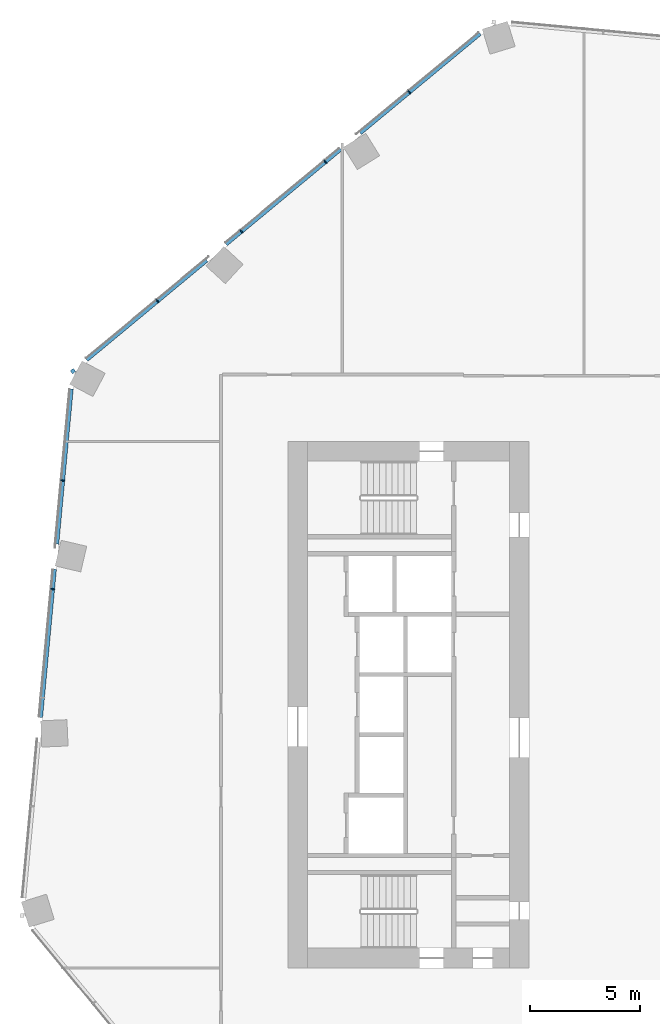
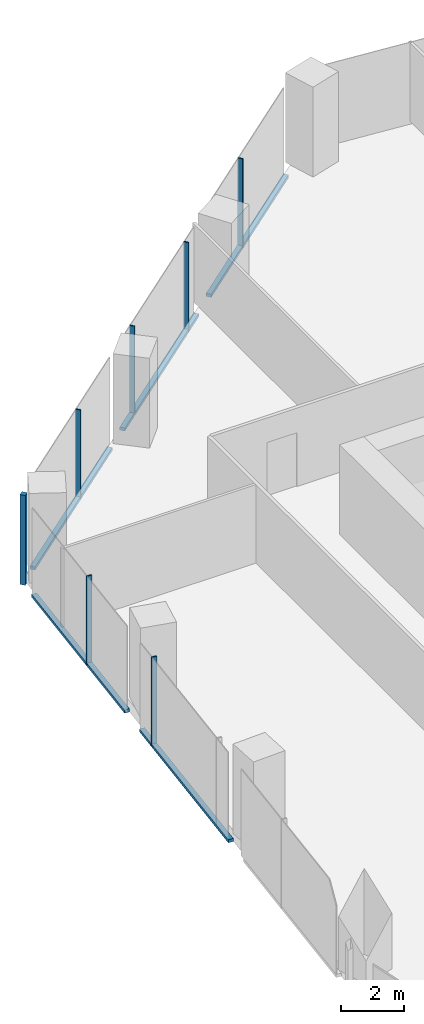
# One storey, part 10 of 24: 12 members, 2 elements without a shape of their own.
"""IFC4 building model written with IfcOpenShell, lengths in metres."""

from ifc_helpers import new_model, si_unit, direction, frame, origin, origin_2d, place, context, subcontext, project, spatial, rectangle, extrude, material, material_profile, profile_set, type_object, element, aggregate, save


model = new_model("IFC4")

# Units and contexts
model_context = context("Model", 3, precision=1e-05, world=origin(), true_north=direction((0.0, 1.0)))
body_context = subcontext(model_context, "Body", "Model", "MODEL_VIEW")
ifc_project = project(units=[si_unit("LENGTHUNIT", "METRE"), si_unit("AREAUNIT", "SQUARE_METRE"), si_unit("VOLUMEUNIT", "CUBIC_METRE"), si_unit("PLANEANGLEUNIT", "RADIAN"), si_unit("MASSUNIT", "GRAM", prefix="KILO")], contexts=[model_context])

# Site, building, storey
site_placement = place(None, origin())
site = spatial("IfcSite", under=ifc_project, at=site_placement, CompositionType="ELEMENT")
building_placement = place(site_placement, origin())
building = spatial("IfcBuilding", under=site, at=building_placement, Name="Orlundy Tower", CompositionType="ELEMENT")
storey_placement = place(building_placement, frame((0.0, 0.0, 177.60009765625)))
storey = spatial("IfcBuildingStorey", under=building, at=storey_placement, Name="L46", CompositionType="ELEMENT", Elevation=177.60009765625)

# Curtain wall, member
ifc_material_1 = material(Name="Aluminium bronze anodised", Category="aluminium")
curtain_wall_type = type_object("IfcCurtainWallType", Name="CW1 wall", PredefinedType="NOTDEFINED", material=ifc_material_1)
curtain_wall_1_placement = place(storey_placement, origin())
curtain_wall_1 = element("IfcCurtainWall", 1, at=curtain_wall_1_placement, inside=storey, type_object=curtain_wall_type, Name="CW1 run 03", PredefinedType="NOTDEFINED")
ifc_material_2 = material(Name="Aluminium bronze anodised", Category="aluminium")
ifc_material_profile_1 = material_profile(ifc_material_2, rectangle(XDim=0.179931640625, YDim=0.179931640625, at=origin_2d()), Name="CW1 corner post 180x180")
ifc_profile_set_1 = profile_set([ifc_material_profile_1], Name="Aluminium bronze anodised")
member_type_1 = type_object("IfcMemberType", Name="CW1 corner post 180x180", PredefinedType="MULLION", material=ifc_profile_set_1)
member_1_placement = place(storey_placement, frame((-28.801025390625, 15.20654296875, -0.420166015625), z_axis=(0.0, 0.0, 1.0), x_axis=(-0.638318424445, 0.769772426769, 0.0)))
member_1 = element("IfcMember", 2, at=member_1_placement, type_object=member_type_1, Name="CW1 mullion 14", PredefinedType="MULLION", context=body_context, shape_type="SweptSolid", body=[
    extrude(rectangle(XDim=0.179931640625, YDim=0.179931640625, at=origin_2d()), origin(), (0.0, 0.0, 1.0), 3.5),
])

# Curtain wall, members
curtain_wall_2_placement = place(storey_placement, origin())
curtain_wall_2 = element("IfcCurtainWall", 3, at=curtain_wall_2_placement, inside=storey, type_object=curtain_wall_type, Name="CW1 run 02", PredefinedType="NOTDEFINED")
ifc_material_3 = material(Name="Aluminium bronze anodised", Category="aluminium")
ifc_material_profile_2 = material_profile(ifc_material_3, rectangle(XDim=0.179931640625, YDim=0.050048828125, at=origin_2d()), Name="CW1 mullion 50x180")
ifc_profile_set_2 = profile_set([ifc_material_profile_2], Name="Aluminium bronze anodised")
member_type_2 = type_object("IfcMemberType", Name="CW1 mullion 50x180", PredefinedType="MULLION", material=ifc_profile_set_2)
member_2_placement = place(storey_placement, frame((-29.728515625, 5.271484375, -0.420166015625), z_axis=(0.0, 0.0, 1.0), x_axis=(-0.995670958136, 0.092948066811, 0.0)))
member_2 = element("IfcMember", 4, at=member_2_placement, type_object=member_type_2, Name="CW1 mullion 12", PredefinedType="MULLION", context=body_context, shape_type="SweptSolid", body=[
    extrude(rectangle(XDim=0.179931640625, YDim=0.050048828125, at=origin_2d()), origin(), (0.0, 0.0, 1.0), 3.5),
])
member_3_placement = place(storey_placement, frame((-29.2666015625, 10.220458984375, -0.420166015625), z_axis=(0.0, 0.0, 1.0), x_axis=(-0.995670958136, 0.092948066811, 0.0)))
member_3 = element("IfcMember", 5, at=member_3_placement, type_object=member_type_2, Name="CW1 mullion 13", PredefinedType="MULLION", context=body_context, shape_type="SweptSolid", body=[
    extrude(rectangle(XDim=0.179931640625, YDim=0.050048828125, at=origin_2d()), origin(), (0.0, 0.0, 1.0), 3.5),
])

# Member
member_4_placement = place(storey_placement, frame((-24.9462890625, 18.403076171875, -0.420166015625), z_axis=(0.0, 0.0, 1.0), x_axis=(-0.638318424445, 0.769772426769, 0.0)))
member_4 = element("IfcMember", 6, at=member_4_placement, type_object=member_type_2, Name="CW1 mullion 15", PredefinedType="MULLION", context=body_context, shape_type="SweptSolid", body=[
    extrude(rectangle(XDim=0.179931640625, YDim=0.050048828125, at=origin_2d()), origin(), (0.0, 0.0, 1.0), 3.5),
])

member_5_placement = place(storey_placement, frame((-21.1201171875, 21.575927734375, -0.420166015625), z_axis=(0.0, 0.0, 1.0), x_axis=(-0.638318424445, 0.769772426769, 0.0)))
member_5 = element("IfcMember", 7, at=member_5_placement, type_object=member_type_2, Name="CW1 mullion 16", PredefinedType="MULLION", context=body_context, shape_type="SweptSolid", body=[
    extrude(rectangle(XDim=0.179931640625, YDim=0.050048828125, at=origin_2d()), origin(), (0.0, 0.0, 1.0), 3.5),
])

member_6_placement = place(storey_placement, frame((-17.2939453125, 24.748779296875, -0.420166015625), z_axis=(0.0, 0.0, 1.0), x_axis=(-0.638318424445, 0.769772426769, 0.0)))
member_6 = element("IfcMember", 8, at=member_6_placement, type_object=member_type_2, Name="CW1 mullion 17", PredefinedType="MULLION", context=body_context, shape_type="SweptSolid", body=[
    extrude(rectangle(XDim=0.179931640625, YDim=0.050048828125, at=origin_2d()), origin(), (0.0, 0.0, 1.0), 3.5),
])

member_7_placement = place(storey_placement, frame((-13.467529296875, 27.92138671875, -0.420166015625), z_axis=(0.0, 0.0, 1.0), x_axis=(-0.638318424445, 0.769772426769, 0.0)))
member_7 = element("IfcMember", 9, at=member_7_placement, type_object=member_type_2, Name="CW1 mullion 18", PredefinedType="MULLION", context=body_context, shape_type="SweptSolid", body=[
    extrude(rectangle(XDim=0.179931640625, YDim=0.050048828125, at=origin_2d()), origin(), (0.0, 0.0, 1.0), 3.5),
])

ifc_material_4 = material(Name="Aluminium bronze anodised", Category="aluminium")
ifc_material_profile_3 = material_profile(ifc_material_4, rectangle(XDim=0.179931640625, YDim=0.1201171875, at=origin_2d()), Name="CW1 transom 180x120")
ifc_profile_set_3 = profile_set([ifc_material_profile_3], Name="Aluminium bronze anodised")
member_type_3 = type_object("IfcMemberType", Name="CW1 transom 180x120", PredefinedType="USERDEFINED", material=ifc_profile_set_3)
member_8_placement = place(storey_placement, frame((-30.275390625, -0.5859375, -0.360107421875), z_axis=(0.092955574003, 0.995670257295, 0.0), x_axis=(-0.995670257295, 0.092955574003, 0.0)))
member_8 = element("IfcMember", 10, at=member_8_placement, type_object=member_type_3, Name="CW1 transom", ObjectType="TRANSOM", PredefinedType="USERDEFINED", context=body_context, shape_type="SweptSolid", body=[
    extrude(rectangle(XDim=0.179931640625, YDim=0.1201171875, at=origin_2d()), origin(), (0.0, 0.0, 1.0), 6.79443359375),
])

member_9_placement = place(storey_placement, frame((-29.537353515625, 7.31982421875, -0.360107421875), z_axis=(0.092928997665, 0.995672738099, 0.0), x_axis=(-0.995672738099, 0.092928997665, 0.0)))
member_9 = element("IfcMember", 11, at=member_9_placement, type_object=member_type_3, Name="CW1 transom", ObjectType="TRANSOM", PredefinedType="USERDEFINED", context=body_context, shape_type="SweptSolid", body=[
    extrude(rectangle(XDim=0.179931640625, YDim=0.1201171875, at=origin_2d()), origin(), (0.0, 0.0, 1.0), 7.109130859375),
])

aggregate(curtain_wall_2, [member_2, member_3, member_8, member_9])

member_10_placement = place(storey_placement, frame((-28.17626953125, 15.724609375, -0.360107421875), z_axis=(0.769770309504, 0.638320977726, 0.0), x_axis=(-0.638320977726, 0.769770309504, 0.0)))
member_10 = element("IfcMember", 12, at=member_10_placement, type_object=member_type_3, Name="CW1 transom", ObjectType="TRANSOM", PredefinedType="USERDEFINED", context=body_context, shape_type="SweptSolid", body=[
    extrude(rectangle(XDim=0.179931640625, YDim=0.1201171875, at=origin_2d()), origin(), (0.0, 0.0, 1.0), 7.10791015625),
])

member_11_placement = place(storey_placement, frame((-21.822021484375, 20.99365234375, -0.360107421875), z_axis=(0.769750639543, 0.638344697576, 0.0), x_axis=(-0.638344697576, 0.769750639543, 0.0)))
member_11 = element("IfcMember", 13, at=member_11_placement, type_object=member_type_3, Name="CW1 transom", ObjectType="TRANSOM", PredefinedType="USERDEFINED", context=body_context, shape_type="SweptSolid", body=[
    extrude(rectangle(XDim=0.179931640625, YDim=0.1201171875, at=origin_2d()), origin(), (0.0, 0.0, 1.0), 6.79443359375),
])

member_12_placement = place(storey_placement, frame((-15.70849609375, 26.063232421875, -0.360107421875), z_axis=(0.769773191659, 0.638317502035, 0.0), x_axis=(-0.638317502035, 0.769773191659, 0.0)))
member_12 = element("IfcMember", 14, at=member_12_placement, type_object=member_type_3, Name="CW1 transom", ObjectType="TRANSOM", PredefinedType="USERDEFINED", context=body_context, shape_type="SweptSolid", body=[
    extrude(rectangle(XDim=0.179931640625, YDim=0.1201171875, at=origin_2d()), origin(), (0.0, 0.0, 1.0), 7.107421875),
])

aggregate(curtain_wall_1, [member_1, member_4, member_5, member_6, member_7, member_10, member_11, member_12])

save(model, "model.ifc")
